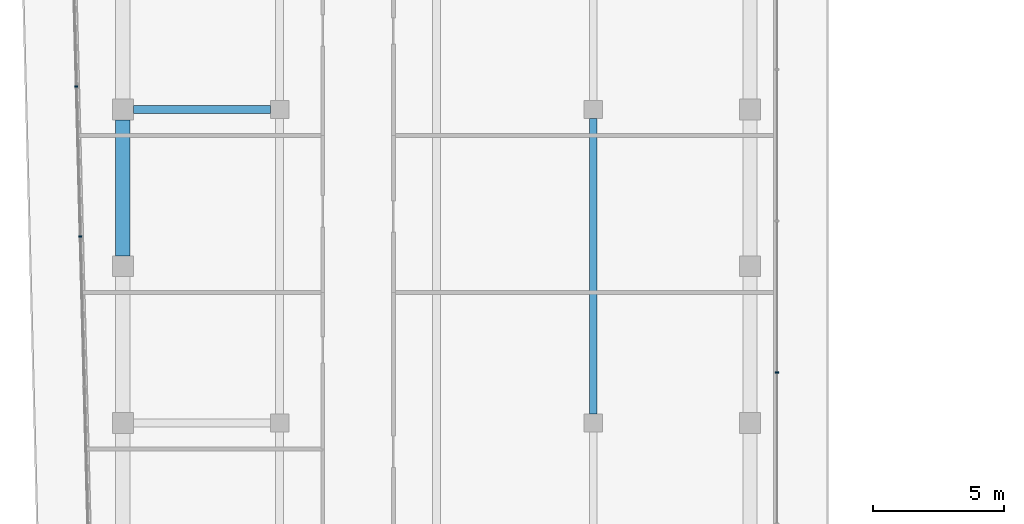
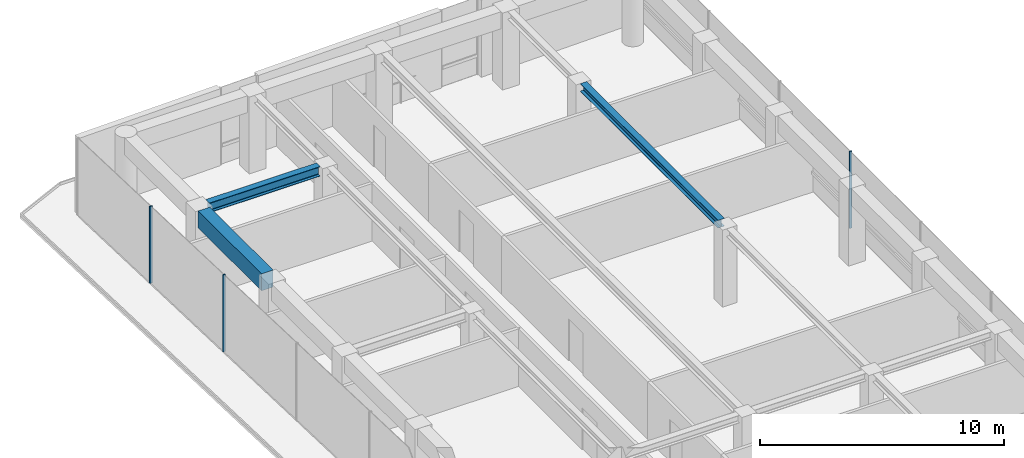
# One storey, part 11 of 20: 3 beams, 3 members, 2 elements without a shape of their own.
"""IFC4 building model written with IfcOpenShell, lengths in metres."""

from ifc_helpers import new_model, si_unit, direction, frame, origin, origin_2d, place, context, subcontext, project, spatial, rectangle, i_section, extrude, material, layer, layer_set, material_profile, profile_set, type_object, element, aggregate, save


model = new_model("IFC4")

# Units and contexts
model_context = context("Model", 3, precision=1e-05, world=origin(), true_north=direction((0.0, 1.0)))
body_context = subcontext(model_context, "Body", "Model", "MODEL_VIEW")
ifc_project = project(units=[si_unit("LENGTHUNIT", "METRE"), si_unit("AREAUNIT", "SQUARE_METRE"), si_unit("VOLUMEUNIT", "CUBIC_METRE"), si_unit("PLANEANGLEUNIT", "RADIAN"), si_unit("MASSUNIT", "GRAM", prefix="KILO")], contexts=[model_context])

# Site, building, storey
site_placement = place(None, origin())
site = spatial("IfcSite", under=ifc_project, at=site_placement, CompositionType="ELEMENT")
building_placement = place(site_placement, origin())
building = spatial("IfcBuilding", under=site, at=building_placement, Name="Welwitschia Terrace Campus", CompositionType="ELEMENT")
storey_placement = place(building_placement, frame((0.0, 0.0, 222.199951171875)))
storey = spatial("IfcBuildingStorey", under=building, at=storey_placement, Name="L49", CompositionType="ELEMENT", Elevation=222.199951171875)

# Beam
ifc_material_1 = material(Name="Steel S355", Category="steel")
ifc_material_profile_1 = material_profile(ifc_material_1, i_section(OverallWidth=0.300048828125, OverallDepth=0.389892578125, WebThickness=0.010986328125, FlangeThickness=0.01904296875, FilletRadius=0.027099609375, at=origin_2d()))
ifc_profile_set_1 = profile_set([ifc_material_profile_1], Name="Steel S355")
beam_type_1 = type_object("IfcBeamType", Name="Interior girder HE 400 A", PredefinedType="BEAM", material=ifc_profile_set_1)
beam_1_placement = place(storey_placement, frame((18.0, 52.3505859375, 3.655029296875), z_axis=(0.0, 1.0, 0.0), x_axis=(-1.0, 0.0, 0.0)))
element("IfcBeam", 1, at=beam_1_placement, inside=storey, type_object=beam_type_1, Name="Girder GB5", PredefinedType="BEAM", context=body_context, shape_type="SweptSolid", body=[
    extrude(i_section(OverallWidth=0.300048828125, OverallDepth=0.389892578125, WebThickness=0.010986328125, FlangeThickness=0.01904296875, FilletRadius=0.027099609375, at=origin_2d()), origin(), (0.0, 0.0, 1.0), 11.298828125),
])

# Curtain wall, member
ifc_material_2 = material(Name="Bronze anodised aluminium", Category="aluminium")
ifc_layer = layer(ifc_material_2, 0.1201171875)
ifc_layer_set = layer_set([ifc_layer], Name="Bronze anodised aluminium")
curtain_wall_type = type_object("IfcCurtainWallType", Name="Curtain wall CW2 tower 6000", PredefinedType="NOTDEFINED", material=ifc_layer_set)
curtain_wall_1_placement = place(storey_placement, origin())
curtain_wall_1 = element("IfcCurtainWall", 2, at=curtain_wall_1_placement, inside=storey, type_object=curtain_wall_type, Name="CW L49.8.0", PredefinedType="NOTDEFINED")
ifc_material_3 = material(Name="Bronze anodised aluminium", Category="aluminium")
ifc_material_profile_2 = material_profile(ifc_material_3, rectangle(XDim=0.1201171875, YDim=0.06005859375, at=origin_2d()))
ifc_profile_set_2 = profile_set([ifc_material_profile_2], Name="Bronze anodised aluminium")
member_type = type_object("IfcMemberType", Name="Mullion 60x120", PredefinedType="MULLION", material=ifc_profile_set_2)
member_1_placement = place(storey_placement, frame((25.030029296875, 53.93212890625, 0.0), z_axis=(0.0, 0.0, 1.0), x_axis=(-1.0, 0.0, 0.0)))
member_1 = element("IfcMember", 3, at=member_1_placement, type_object=member_type, Name="Mullion L49.8.0.3", PredefinedType="MULLION", context=body_context, shape_type="SweptSolid", body=[
    extrude(rectangle(XDim=0.1201171875, YDim=0.06005859375, at=origin_2d()), origin(), (0.0, 0.0, 1.0), 3.85009765625),
])
aggregate(curtain_wall_1, [member_1])

# Curtain wall, members
curtain_wall_2_placement = place(storey_placement, origin())
curtain_wall_2 = element("IfcCurtainWall", 4, at=curtain_wall_2_placement, inside=storey, type_object=curtain_wall_type, Name="CW L49.11.0", PredefinedType="NOTDEFINED")
member_2_placement = place(storey_placement, frame((-1.78125, 64.878173828125, 0.0), z_axis=(0.0, 0.0, 1.0), x_axis=(0.999657324976, 0.026176948308, 0.0)))
member_2 = element("IfcMember", 5, at=member_2_placement, type_object=member_type, Name="Mullion L49.11.0.1", PredefinedType="MULLION", context=body_context, shape_type="SweptSolid", body=[
    extrude(rectangle(XDim=0.1201171875, YDim=0.06005859375, at=origin_2d()), origin(), (0.0, 0.0, 1.0), 3.85009765625),
])
member_3_placement = place(storey_placement, frame((-1.630859375, 59.140869140625, 0.0), z_axis=(0.0, 0.0, 1.0), x_axis=(0.999657324976, 0.026176948308, 0.0)))
member_3 = element("IfcMember", 6, at=member_3_placement, type_object=member_type, Name="Mullion L49.11.0.2", PredefinedType="MULLION", context=body_context, shape_type="SweptSolid", body=[
    extrude(rectangle(XDim=0.1201171875, YDim=0.06005859375, at=origin_2d()), origin(), (0.0, 0.0, 1.0), 3.85009765625),
])
aggregate(curtain_wall_2, [member_2, member_3])

# Beams
ifc_material_4 = material(Name="Steel S355", Category="steel")
ifc_material_profile_3 = material_profile(ifc_material_4, i_section(OverallWidth=0.300048828125, OverallDepth=0.489990234375, WebThickness=0.011962890625, FlangeThickness=0.02294921875, FilletRadius=0.027099609375, at=origin_2d()))
ifc_profile_set_3 = profile_set([ifc_material_profile_3], Name="Steel S355")
beam_type_2 = type_object("IfcBeamType", Name="Primary beam HE 500 A", PredefinedType="BEAM", material=ifc_profile_set_3)
beam_2_placement = place(storey_placement, frame((0.400390625, 64.0, 3.60498046875), z_axis=(1.0, 0.0, 0.0), x_axis=(0.0, 1.0, 0.0)))
element("IfcBeam", 7, at=beam_2_placement, inside=storey, type_object=beam_type_2, Name="Primary beam PB5", PredefinedType="BEAM", context=body_context, shape_type="SweptSolid", body=[
    extrude(i_section(OverallWidth=0.300048828125, OverallDepth=0.489990234375, WebThickness=0.011962890625, FlangeThickness=0.02294921875, FilletRadius=0.027099609375, at=origin_2d()), origin(), (0.0, 0.0, 1.0), 5.2490234375),
])
ifc_material_5 = material(Name="Concrete C50/60", Category="concrete")
ifc_material_profile_4 = material_profile(ifc_material_5, rectangle(XDim=0.550048828125, YDim=0.85009765625, at=origin_2d()))
ifc_profile_set_4 = profile_set([ifc_material_profile_4], Name="Concrete C50/60")
beam_type_3 = type_object("IfcBeamType", Name="Ring spandrel 550x850", PredefinedType="SPANDREL", material=ifc_profile_set_4)
beam_3_placement = place(storey_placement, frame((0.0, 63.599609375, 3.425048828125), z_axis=(0.0, -1.0, 0.0), x_axis=(1.0, 0.0, 0.0)))
element("IfcBeam", 8, at=beam_3_placement, inside=storey, type_object=beam_type_3, Name="Spandrel SP3", PredefinedType="SPANDREL", context=body_context, shape_type="SweptSolid", body=[
    extrude(rectangle(XDim=0.550048828125, YDim=0.85009765625, at=origin_2d()), origin(), (0.0, 0.0, 1.0), 5.19921875),
])

save(model, "model.ifc")
